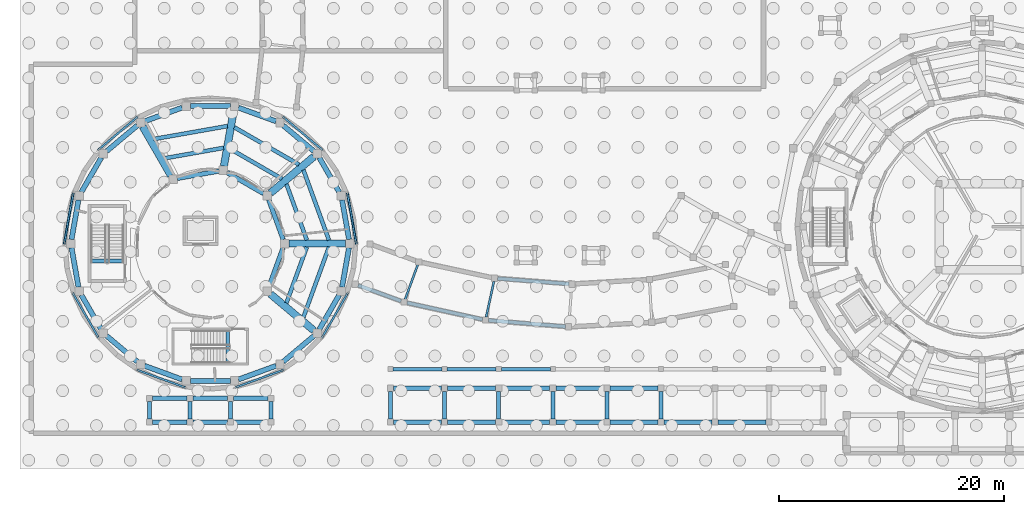
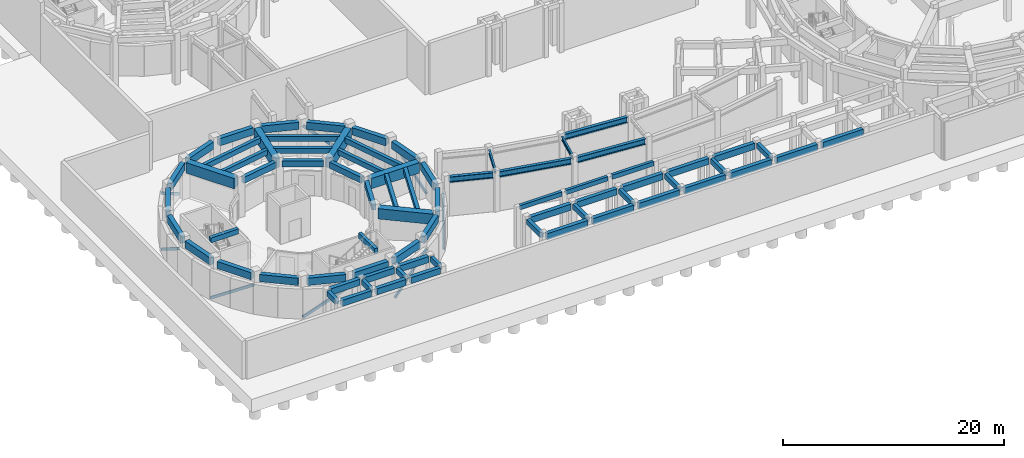
# One storey, part 14 of 57: 74 beams, 8 members.
"""IFC4 building model written with IfcOpenShell, lengths in metres."""

from ifc_helpers import new_model, si_unit, direction, frame, origin, origin_2d, place, context, subcontext, project, spatial, rectangle, i_section, extrude, material, material_profile, profile_set, type_object, element, save


model = new_model("IFC4")

# Units and contexts
model_context = context("Model", 3, precision=1e-05, world=origin(), true_north=direction((0.0, 1.0)))
body_context = subcontext(model_context, "Body", "Model", "MODEL_VIEW")
ifc_project = project(units=[si_unit("LENGTHUNIT", "METRE"), si_unit("AREAUNIT", "SQUARE_METRE"), si_unit("VOLUMEUNIT", "CUBIC_METRE"), si_unit("PLANEANGLEUNIT", "RADIAN"), si_unit("MASSUNIT", "GRAM", prefix="KILO")], contexts=[model_context])

# Site, building, storey
site_placement = place(None, origin())
site = spatial("IfcSite", under=ifc_project, at=site_placement, CompositionType="ELEMENT")
building_placement = place(site_placement, origin())
building = spatial("IfcBuilding", under=site, at=building_placement, Name="Aldenvaro Health Centre", CompositionType="ELEMENT")
storey_placement = place(building_placement, frame((0.0, 0.0, -4.550048828125)))
storey = spatial("IfcBuildingStorey", under=building, at=storey_placement, Name="B1", CompositionType="ELEMENT", Elevation=-4.550048828125)

# Beams
ifc_material_1 = material(Name="Concrete f'c 40 MPa", Category="concrete")
ifc_material_profile_1 = material_profile(ifc_material_1, rectangle(XDim=0.300048828125, YDim=0.47998046875, at=origin_2d()), Name="RC 300x480", Category="concrete")
ifc_profile_set_1 = profile_set([ifc_material_profile_1], Name="Concrete f'c 40 MPa")
beam_type_1 = type_object("IfcBeamType", Name="BM-RC-480", PredefinedType="LINTEL", material=ifc_profile_set_1)
beam_1_placement = place(storey_placement, frame((34.72509765625, 7.35009765625, 4.31005859375), z_axis=(1.0, 0.0, 0.0), x_axis=(0.0, 1.0, 0.0)))
element("IfcBeam", 1, at=beam_1_placement, inside=storey, type_object=beam_type_1, Name="Courtyard Screen W Grade Beam 1", PredefinedType="LINTEL", context=body_context, shape_type="SweptSolid", body=[
    extrude(rectangle(XDim=0.300048828125, YDim=0.47998046875, at=origin_2d()), origin(), (0.0, 0.0, 1.0), 4.349853515625),
])
for number, where, z_axis, x_axis, name in (
    (2, (39.52490234375, 7.35009765625, 4.31005859375), (1.0, 0.0, 0.0), (0.0, 1.0, 0.0), "Courtyard Screen W Grade Beam 2"),
    (3, (44.324951171875, 7.35009765625, 4.31005859375), (1.0, 0.0, 0.0), (0.0, 1.0, 0.0), "Courtyard Screen W Grade Beam 3"),
):
    element("IfcBeam", number, at=place(storey_placement, frame(where, z_axis=z_axis, x_axis=x_axis)), inside=storey, type_object=beam_type_1, Name=name, PredefinedType="LINTEL", context=body_context, shape_type="SweptSolid", body=[
        extrude(rectangle(XDim=0.300048828125, YDim=0.47998046875, at=origin_2d()), origin(), (0.0, 0.0, 1.0), 4.35009765625),
    ])
ifc_material_profile_2 = material_profile(ifc_material_1, rectangle(XDim=0.35009765625, YDim=0.56005859375, at=origin_2d()), Name="RC 350x560", Category="concrete")
ifc_profile_set_2 = profile_set([ifc_material_profile_2], Name="Concrete f'c 40 MPa")
beam_type_2 = type_object("IfcBeamType", Name="BM-RC-560", PredefinedType="JOIST", material=ifc_profile_set_2)
beam_2_placement = place(storey_placement, frame((27.070068359375, 18.804931640625, 3.838134765625), z_axis=(-0.342106317212, 0.939661251581, 0.0), x_axis=(-0.939661251581, -0.342106317212, 0.0)))
element("IfcBeam", 4, at=beam_2_placement, inside=storey, type_object=beam_type_2, Name="D5 B1 secondary joist 01.1", PredefinedType="JOIST", context=body_context, shape_type="SweptSolid", body=[
    extrude(rectangle(XDim=0.35009765625, YDim=0.56005859375, at=origin_2d()), origin(), (0.0, 0.0, 1.0), 5.2880859375),
])
beam_3_placement = place(storey_placement, frame((29.034912109375, 18.804931640625, 3.838134765625), z_axis=(-0.341905602394, 0.93973430237, 0.0), x_axis=(-0.93973430237, -0.341905602394, 0.0)))
element("IfcBeam", 5, at=beam_3_placement, inside=storey, type_object=beam_type_2, Name="D5 B1 secondary joist 01.2", PredefinedType="JOIST", context=body_context, shape_type="SweptSolid", body=[
    extrude(rectangle(XDim=0.35009765625, YDim=0.56005859375, at=origin_2d()), origin(), (0.0, 0.0, 1.0), 6.6328125),
])
beam_4_placement = place(storey_placement, frame((24.868896484375, 24.241943359375, 3.838134765625), z_axis=(-0.865955708429, 0.500120696472, 0.0), x_axis=(-0.500120696472, -0.865955708429, 0.0)))
element("IfcBeam", 6, at=beam_4_placement, inside=storey, type_object=beam_type_2, Name="D5 B1 secondary joist 02.1", PredefinedType="JOIST", context=body_context, shape_type="SweptSolid", body=[
    extrude(rectangle(XDim=0.35009765625, YDim=0.56005859375, at=origin_2d()), origin(), (0.0, 0.0, 1.0), 5.288818359375),
])
beam_5_placement = place(storey_placement, frame((26.3740234375, 25.506103515625, 3.838134765625), z_axis=(-0.866055640636, 0.49994762458, 0.0), x_axis=(-0.49994762458, -0.866055640636, 0.0)))
element("IfcBeam", 7, at=beam_5_placement, inside=storey, type_object=beam_type_2, Name="D5 B1 secondary joist 02.2", PredefinedType="JOIST", context=body_context, shape_type="SweptSolid", body=[
    extrude(rectangle(XDim=0.35009765625, YDim=0.56005859375, at=origin_2d()), origin(), (0.0, 0.0, 1.0), 6.632568359375),
])
beam_6_placement = place(storey_placement, frame((19.68701171875, 26.992919921875, 3.838134765625), z_axis=(-0.984781699439, -0.173795870062, 0.0), x_axis=(0.173795870062, -0.984781699439, 0.0)))
element("IfcBeam", 8, at=beam_6_placement, inside=storey, type_object=beam_type_2, Name="D5 B1 secondary joist 03.1", PredefinedType="JOIST", context=body_context, shape_type="SweptSolid", body=[
    extrude(rectangle(XDim=0.35009765625, YDim=0.56005859375, at=origin_2d()), origin(), (0.0, 0.0, 1.0), 5.28759765625),
])
beam_7_placement = place(storey_placement, frame((20.029052734375, 28.927978515625, 3.838134765625), z_axis=(-0.984799118, -0.173697142136, 0.0), x_axis=(0.173697142136, -0.984799118, 0.0)))
element("IfcBeam", 9, at=beam_7_placement, inside=storey, type_object=beam_type_2, Name="D5 B1 secondary joist 03.2", PredefinedType="JOIST", context=body_context, shape_type="SweptSolid", body=[
    extrude(rectangle(XDim=0.35009765625, YDim=0.56005859375, at=origin_2d()), origin(), (0.0, 0.0, 1.0), 6.6328125),
])
beam_8_placement = place(storey_placement, frame((25.260986328125, 13.22607421875, 3.838134765625), z_axis=(0.342106317212, 0.939661251581, 0.0), x_axis=(-0.939661251581, 0.342106317212, 0.0)))
element("IfcBeam", 10, at=beam_8_placement, inside=storey, type_object=beam_type_2, Name="D5 B1 secondary joist 05.1", PredefinedType="JOIST", context=body_context, shape_type="SweptSolid", body=[
    extrude(rectangle(XDim=0.35009765625, YDim=0.56005859375, at=origin_2d()), origin(), (0.0, 0.0, 1.0), 5.2880859375),
])
beam_9_placement = place(storey_placement, frame((26.76708984375, 11.9619140625, 3.838134765625), z_axis=(0.341905602394, 0.93973430237, 0.0), x_axis=(-0.93973430237, 0.341905602394, 0.0)))
element("IfcBeam", 11, at=beam_9_placement, inside=storey, type_object=beam_type_2, Name="D5 B1 secondary joist 05.2", PredefinedType="JOIST", context=body_context, shape_type="SweptSolid", body=[
    extrude(rectangle(XDim=0.35009765625, YDim=0.56005859375, at=origin_2d()), origin(), (0.0, 0.0, 1.0), 6.6328125),
])
for number, where, z_axis, x_axis, name in (
    (12, (34.5, 2.925048828125, 4.010009765625), (0.0, 1.0, 0.0), (-1.0, 0.0, 0.0), "South Stoa W Transverse Beam B1-1"),
    (13, (39.300048828125, 2.925048828125, 4.010009765625), (0.0, 1.0, 0.0), (-1.0, 0.0, 0.0), "South Stoa W Transverse Beam B1-2"),
    (14, (44.10009765625, 2.925048828125, 4.010009765625), (0.0, 1.0, 0.0), (-1.0, 0.0, 0.0), "South Stoa W Transverse Beam B1-3"),
    (15, (48.89990234375, 2.925048828125, 4.010009765625), (0.0, 1.0, 0.0), (-1.0, 0.0, 0.0), "South Stoa W Transverse Beam B1-4"),
    (16, (53.699951171875, 2.925048828125, 4.010009765625), (0.0, 1.0, 0.0), (-1.0, 0.0, 0.0), "South Stoa W Transverse Beam B1-5"),
    (17, (58.5, 2.925048828125, 4.010009765625), (0.0, 1.0, 0.0), (-1.0, 0.0, 0.0), "South Stoa W Transverse Beam B1-6"),
):
    element("IfcBeam", number, at=place(storey_placement, frame(where, z_axis=z_axis, x_axis=x_axis)), inside=storey, type_object=beam_type_2, Name=name, PredefinedType="JOIST", context=body_context, shape_type="SweptSolid", body=[
        extrude(rectangle(XDim=0.35009765625, YDim=0.56005859375, at=origin_2d()), origin(), (0.0, 0.0, 1.0), 2.449951171875),
    ])
for number, where, z_axis, x_axis, name in (
    (18, (13.10009765625, 2.925048828125, 4.130126953125), (0.0, 1.0, 0.0), (-1.0, 0.0, 0.0), "Pavilion Portico W5 Grade Tie 1"),
    (19, (16.699951171875, 2.925048828125, 4.130126953125), (0.0, 1.0, 0.0), (-1.0, 0.0, 0.0), "Pavilion Portico W5 Grade Tie 2"),
    (20, (20.300048828125, 2.925048828125, 4.130126953125), (0.0, 1.0, 0.0), (-1.0, 0.0, 0.0), "Pavilion Portico W5 Grade Tie 3"),
    (21, (23.89990234375, 2.925048828125, 4.130126953125), (0.0, 1.0, 0.0), (-1.0, 0.0, 0.0), "Pavilion Portico W5 Grade Tie 4"),
):
    element("IfcBeam", number, at=place(storey_placement, frame(where, z_axis=z_axis, x_axis=x_axis)), inside=storey, type_object=beam_type_2, Name=name, PredefinedType="JOIST", context=body_context, shape_type="SweptSolid", body=[
        extrude(rectangle(XDim=0.35009765625, YDim=0.56005859375, at=origin_2d()), origin(), (0.0, 0.0, 1.0), 1.550048828125),
    ])
for number, where, z_axis, x_axis, name in (
    (22, (10.800048828125, 16.949951171875, 4.27001953125), (-1.0, 0.0, 0.0), (0.0, -1.0, 0.0), "ST-09 L00 stair landing trimmer beam"),
    (23, (20.050048828125, 10.800048828125, 4.27001953125), (0.0, -1.0, 0.0), (1.0, 0.0, 0.0), "ST-10 L00 stair landing trimmer beam"),
):
    element("IfcBeam", number, at=place(storey_placement, frame(where, z_axis=z_axis, x_axis=x_axis)), inside=storey, type_object=beam_type_2, Name=name, PredefinedType="JOIST", context=body_context, shape_type="SweptSolid", body=[
        extrude(rectangle(XDim=0.35009765625, YDim=0.56005859375, at=origin_2d()), origin(), (0.0, 0.0, 1.0), 2.900146484375),
    ])
ifc_material_profile_3 = material_profile(ifc_material_1, rectangle(XDim=0.39990234375, YDim=0.679931640625, at=origin_2d()), Name="RC 400x680", Category="concrete")
ifc_profile_set_3 = profile_set([ifc_material_profile_3], Name="Concrete f'c 40 MPa")
beam_type_3 = type_object("IfcBeamType", Name="BM-RC-680", PredefinedType="BEAM", material=ifc_profile_set_3)
beam_10_placement = place(storey_placement, frame((24.971923828125, 18.85205078125, 3.778076171875), z_axis=(-0.342060645112, 0.939677878353, 0.0), x_axis=(-0.939677878353, -0.342060645112, 0.0)))
element("IfcBeam", 24, at=beam_10_placement, inside=storey, type_object=beam_type_3, Name="D5 B1 inner ring beam 01", PredefinedType="BEAM", context=body_context, shape_type="SweptSolid", body=[
    extrude(rectangle(XDim=0.39990234375, YDim=0.679931640625, at=origin_2d()), origin(), (0.0, 0.0, 1.0), 3.764892578125),
])
beam_11_placement = place(storey_placement, frame((23.23095703125, 22.929931640625, 3.778076171875), z_axis=(-0.866035461704, 0.499982578767, 0.0), x_axis=(-0.499982578767, -0.866035461704, 0.0)))
element("IfcBeam", 25, at=beam_11_placement, inside=storey, type_object=beam_type_3, Name="D5 B1 inner ring beam 02", PredefinedType="BEAM", context=body_context, shape_type="SweptSolid", body=[
    extrude(rectangle(XDim=0.39990234375, YDim=0.679931640625, at=origin_2d()), origin(), (0.0, 0.0, 1.0), 3.764404296875),
])
beam_12_placement = place(storey_placement, frame((19.277099609375, 24.93505859375, 3.778076171875), z_axis=(-0.984797263642, -0.17370765534, 0.0), x_axis=(0.17370765534, -0.984797263642, 0.0)))
element("IfcBeam", 26, at=beam_12_placement, inside=storey, type_object=beam_type_3, Name="D5 B1 inner ring beam 03", PredefinedType="BEAM", context=body_context, shape_type="SweptSolid", body=[
    extrude(rectangle(XDim=0.39990234375, YDim=0.679931640625, at=origin_2d()), origin(), (0.0, 0.0, 1.0), 3.76513671875),
])
beam_13_placement = place(storey_placement, frame((23.68408203125, 14.610107421875, 3.778076171875), z_axis=(0.342060645112, 0.939677878353, 0.0), x_axis=(-0.939677878353, 0.342060645112, 0.0)))
element("IfcBeam", 27, at=beam_13_placement, inside=storey, type_object=beam_type_3, Name="D5 B1 inner ring beam 05", PredefinedType="BEAM", context=body_context, shape_type="SweptSolid", body=[
    extrude(rectangle(XDim=0.39990234375, YDim=0.679931640625, at=origin_2d()), origin(), (0.0, 0.0, 1.0), 3.764892578125),
])
for number, where, z_axis, x_axis, name in (
    (28, (34.77490234375, 2.64990234375, 3.949951171875), (1.0, 0.0, 0.0), (0.0, 1.0, 0.0), "South Stoa W Classical Architrave B1-1.1"),
    (29, (34.77490234375, 5.64990234375, 3.949951171875), (1.0, 0.0, 0.0), (0.0, 1.0, 0.0), "South Stoa W Classical Architrave B1-1.2"),
    (30, (39.574951171875, 2.64990234375, 3.949951171875), (1.0, 0.0, 0.0), (0.0, 1.0, 0.0), "South Stoa W Classical Architrave B1-2.1"),
    (31, (39.574951171875, 5.64990234375, 3.949951171875), (1.0, 0.0, 0.0), (0.0, 1.0, 0.0), "South Stoa W Classical Architrave B1-2.2"),
    (32, (44.375, 2.64990234375, 3.949951171875), (1.0, 0.0, 0.0), (0.0, 1.0, 0.0), "South Stoa W Classical Architrave B1-3.1"),
    (33, (44.375, 5.64990234375, 3.949951171875), (1.0, 0.0, 0.0), (0.0, 1.0, 0.0), "South Stoa W Classical Architrave B1-3.2"),
    (34, (49.175048828125, 2.64990234375, 3.949951171875), (1.0, 0.0, 0.0), (0.0, 1.0, 0.0), "South Stoa W Classical Architrave B1-4.1"),
    (35, (49.175048828125, 5.64990234375, 3.949951171875), (1.0, 0.0, 0.0), (0.0, 1.0, 0.0), "South Stoa W Classical Architrave B1-4.2"),
    (36, (53.97509765625, 2.64990234375, 3.949951171875), (1.0, 0.0, 0.0), (0.0, 1.0, 0.0), "South Stoa W Classical Architrave B1-5.1"),
    (37, (53.97509765625, 5.64990234375, 3.949951171875), (1.0, 0.0, 0.0), (0.0, 1.0, 0.0), "South Stoa W Classical Architrave B1-5.2"),
    (38, (58.77490234375, 2.64990234375, 3.949951171875), (1.0, 0.0, 0.0), (0.0, 1.0, 0.0), "South Stoa W Classical Architrave B1-6.1"),
    (39, (63.574951171875, 2.64990234375, 3.949951171875), (1.0, 0.0, 0.0), (0.0, 1.0, 0.0), "South Stoa W Classical Architrave B1-7.1"),
):
    element("IfcBeam", number, at=place(storey_placement, frame(where, z_axis=z_axis, x_axis=x_axis)), inside=storey, type_object=beam_type_3, Name=name, PredefinedType="BEAM", context=body_context, shape_type="SweptSolid", body=[
        extrude(rectangle(XDim=0.39990234375, YDim=0.679931640625, at=origin_2d()), origin(), (0.0, 0.0, 1.0), 4.25),
    ])
for number, where, z_axis, x_axis, name in (
    (40, (13.375, 2.64990234375, 4.090087890625), (1.0, 0.0, 0.0), (0.0, 1.0, 0.0), "Pavilion Portico W5 Grade Beam 1.1"),
    (41, (13.375, 4.75, 4.090087890625), (1.0, 0.0, 0.0), (0.0, 1.0, 0.0), "Pavilion Portico W5 Grade Beam 1.2"),
):
    element("IfcBeam", number, at=place(storey_placement, frame(where, z_axis=z_axis, x_axis=x_axis)), inside=storey, type_object=beam_type_3, Name=name, PredefinedType="BEAM", context=body_context, shape_type="SweptSolid", body=[
        extrude(rectangle(XDim=0.39990234375, YDim=0.679931640625, at=origin_2d()), origin(), (0.0, 0.0, 1.0), 3.050048828125),
    ])
for number, where, z_axis, x_axis, name in (
    (42, (16.97509765625, 2.64990234375, 4.090087890625), (1.0, 0.0, 0.0), (0.0, 1.0, 0.0), "Pavilion Portico W5 Grade Beam 2.1"),
    (43, (16.97509765625, 4.75, 4.090087890625), (1.0, 0.0, 0.0), (0.0, 1.0, 0.0), "Pavilion Portico W5 Grade Beam 2.2"),
):
    element("IfcBeam", number, at=place(storey_placement, frame(where, z_axis=z_axis, x_axis=x_axis)), inside=storey, type_object=beam_type_3, Name=name, PredefinedType="BEAM", context=body_context, shape_type="SweptSolid", body=[
        extrude(rectangle(XDim=0.39990234375, YDim=0.679931640625, at=origin_2d()), origin(), (0.0, 0.0, 1.0), 3.0498046875),
    ])
for number, where, z_axis, x_axis, name in (
    (44, (20.574951171875, 2.64990234375, 4.090087890625), (1.0, 0.0, 0.0), (0.0, 1.0, 0.0), "Pavilion Portico W5 Grade Beam 3.1"),
    (45, (20.574951171875, 4.75, 4.090087890625), (1.0, 0.0, 0.0), (0.0, 1.0, 0.0), "Pavilion Portico W5 Grade Beam 3.2"),
):
    element("IfcBeam", number, at=place(storey_placement, frame(where, z_axis=z_axis, x_axis=x_axis)), inside=storey, type_object=beam_type_3, Name=name, PredefinedType="BEAM", context=body_context, shape_type="SweptSolid", body=[
        extrude(rectangle(XDim=0.39990234375, YDim=0.679931640625, at=origin_2d()), origin(), (0.0, 0.0, 1.0), 3.050048828125),
    ])
ifc_material_profile_4 = material_profile(ifc_material_1, rectangle(XDim=0.449951171875, YDim=0.800048828125, at=origin_2d()), Name="RC 450x800", Category="concrete")
ifc_profile_set_4 = profile_set([ifc_material_profile_4], Name="Concrete f'c 40 MPa")
beam_type_4 = type_object("IfcBeamType", Name="BM-RC-800I", PredefinedType="SPANDREL", material=ifc_profile_set_4)
beam_14_placement = place(storey_placement, frame((30.81494140625, 18.868896484375, 3.718017578125), z_axis=(-0.173781410795, 0.984784251124, 0.0), x_axis=(-0.984784251124, -0.173781410795, 0.0)))
element("IfcBeam", 46, at=beam_14_placement, inside=storey, type_object=beam_type_4, Name="D5 B1 perimeter spandrel 01", PredefinedType="SPANDREL", context=body_context, shape_type="SweptSolid", body=[
    extrude(rectangle(XDim=0.449951171875, YDim=0.800048828125, at=origin_2d()), origin(), (0.0, 0.0, 1.0), 3.550048828125),
])
for number, where, z_axis, x_axis, name in (
    (47, (29.946044921875, 23.05908203125, 3.718017578125), (-0.500081641589, 0.86597826286, 0.0), (-0.86597826286, -0.500081641589, 0.0), "D5 B1 perimeter spandrel 02"),
    (48, (27.697021484375, 26.698974609375, 3.718017578125), (-0.766227589177, 0.642569281544, 0.0), (-0.642569281544, -0.766227589177, 0.0), "D5 B1 perimeter spandrel 03"),
):
    element("IfcBeam", number, at=place(storey_placement, frame(where, z_axis=z_axis, x_axis=x_axis)), inside=storey, type_object=beam_type_4, Name=name, PredefinedType="SPANDREL", context=body_context, shape_type="SweptSolid", body=[
        extrude(rectangle(XDim=0.449951171875, YDim=0.800048828125, at=origin_2d()), origin(), (0.0, 0.0, 1.0), 3.5498046875),
    ])
beam_15_placement = place(storey_placement, frame((24.337890625, 29.34912109375, 3.718017578125), z_axis=(-0.939632695963, 0.342184740567, 0.0), x_axis=(-0.342184740567, -0.939632695963, 0.0)))
element("IfcBeam", 49, at=beam_15_placement, inside=storey, type_object=beam_type_4, Name="D5 B1 perimeter spandrel 04", PredefinedType="SPANDREL", context=body_context, shape_type="SweptSolid", body=[
    extrude(rectangle(XDim=0.449951171875, YDim=0.800048828125, at=origin_2d()), origin(), (0.0, 0.0, 1.0), 3.55029296875),
])
beam_16_placement = place(storey_placement, frame((20.27490234375, 30.69189453125, 3.718017578125), z_axis=(-1.0, 0.0, 0.0), x_axis=(0.0, -1.0, 0.0)))
element("IfcBeam", 50, at=beam_16_placement, inside=storey, type_object=beam_type_4, Name="D5 B1 perimeter spandrel 05", PredefinedType="SPANDREL", context=body_context, shape_type="SweptSolid", body=[
    extrude(rectangle(XDim=0.449951171875, YDim=0.800048828125, at=origin_2d()), origin(), (0.0, 0.0, 1.0), 3.5498046875),
])
beam_17_placement = place(storey_placement, frame((15.998046875, 30.56396484375, 3.718017578125), z_axis=(-0.939632695963, -0.342184740567, 0.0), x_axis=(0.342184740567, -0.939632695963, 0.0)))
element("IfcBeam", 51, at=beam_17_placement, inside=storey, type_object=beam_type_4, Name="D5 B1 perimeter spandrel 06", PredefinedType="SPANDREL", context=body_context, shape_type="SweptSolid", body=[
    extrude(rectangle(XDim=0.449951171875, YDim=0.800048828125, at=origin_2d()), origin(), (0.0, 0.0, 1.0), 3.55029296875),
])
for number, where, z_axis, x_axis, name in (
    (52, (12.02294921875, 28.97998046875, 3.718017578125), (-0.766227589177, -0.642569281544, 0.0), (0.642569281544, -0.766227589177, 0.0), "D5 B1 perimeter spandrel 07"),
    (53, (8.8291015625, 26.133056640625, 3.718017578125), (-0.500081641589, -0.86597826286, 0.0), (0.86597826286, -0.500081641589, 0.0), "D5 B1 perimeter spandrel 08"),
):
    element("IfcBeam", number, at=place(storey_placement, frame(where, z_axis=z_axis, x_axis=x_axis)), inside=storey, type_object=beam_type_4, Name=name, PredefinedType="SPANDREL", context=body_context, shape_type="SweptSolid", body=[
        extrude(rectangle(XDim=0.449951171875, YDim=0.800048828125, at=origin_2d()), origin(), (0.0, 0.0, 1.0), 3.5498046875),
    ])
for number, where, z_axis, x_axis, name in (
    (54, (6.802001953125, 22.364990234375, 3.718017578125), (-0.173781410795, -0.984784251124, 0.0), (0.984784251124, -0.173781410795, 0.0), "D5 B1 perimeter spandrel 09"),
    (55, (6.18505859375, 18.131103515625, 3.718017578125), (0.173781410795, -0.984784251124, 0.0), (0.984784251124, 0.173781410795, 0.0), "D5 B1 perimeter spandrel 10"),
):
    element("IfcBeam", number, at=place(storey_placement, frame(where, z_axis=z_axis, x_axis=x_axis)), inside=storey, type_object=beam_type_4, Name=name, PredefinedType="SPANDREL", context=body_context, shape_type="SweptSolid", body=[
        extrude(rectangle(XDim=0.449951171875, YDim=0.800048828125, at=origin_2d()), origin(), (0.0, 0.0, 1.0), 3.550048828125),
    ])
for number, where, z_axis, x_axis, name in (
    (56, (7.053955078125, 13.94091796875, 3.718017578125), (0.500081641589, -0.86597826286, 0.0), (0.86597826286, 0.500081641589, 0.0), "D5 B1 perimeter spandrel 11"),
    (57, (9.302978515625, 10.301025390625, 3.718017578125), (0.766227589177, -0.642569281544, 0.0), (0.642569281544, 0.766227589177, 0.0), "D5 B1 perimeter spandrel 12"),
):
    element("IfcBeam", number, at=place(storey_placement, frame(where, z_axis=z_axis, x_axis=x_axis)), inside=storey, type_object=beam_type_4, Name=name, PredefinedType="SPANDREL", context=body_context, shape_type="SweptSolid", body=[
        extrude(rectangle(XDim=0.449951171875, YDim=0.800048828125, at=origin_2d()), origin(), (0.0, 0.0, 1.0), 3.5498046875),
    ])
beam_18_placement = place(storey_placement, frame((12.662109375, 7.65087890625, 3.718017578125), z_axis=(0.939632695963, -0.342184740567, 0.0), x_axis=(0.342184740567, 0.939632695963, 0.0)))
element("IfcBeam", 58, at=beam_18_placement, inside=storey, type_object=beam_type_4, Name="D5 B1 perimeter spandrel 13", PredefinedType="SPANDREL", context=body_context, shape_type="SweptSolid", body=[
    extrude(rectangle(XDim=0.449951171875, YDim=0.800048828125, at=origin_2d()), origin(), (0.0, 0.0, 1.0), 3.55029296875),
])
beam_19_placement = place(storey_placement, frame((16.72509765625, 6.30810546875, 3.718017578125), z_axis=(1.0, 0.0, 0.0), x_axis=(0.0, 1.0, 0.0)))
element("IfcBeam", 59, at=beam_19_placement, inside=storey, type_object=beam_type_4, Name="D5 B1 perimeter spandrel 14", PredefinedType="SPANDREL", context=body_context, shape_type="SweptSolid", body=[
    extrude(rectangle(XDim=0.449951171875, YDim=0.800048828125, at=origin_2d()), origin(), (0.0, 0.0, 1.0), 3.5498046875),
])
beam_20_placement = place(storey_placement, frame((21.001953125, 6.43603515625, 3.718017578125), z_axis=(0.939632695963, 0.342184740567, 0.0), x_axis=(-0.342184740567, 0.939632695963, 0.0)))
element("IfcBeam", 60, at=beam_20_placement, inside=storey, type_object=beam_type_4, Name="D5 B1 perimeter spandrel 15", PredefinedType="SPANDREL", context=body_context, shape_type="SweptSolid", body=[
    extrude(rectangle(XDim=0.449951171875, YDim=0.800048828125, at=origin_2d()), origin(), (0.0, 0.0, 1.0), 3.55029296875),
])
for number, where, z_axis, x_axis, name in (
    (61, (24.97705078125, 8.02001953125, 3.718017578125), (0.766227589177, 0.642569281544, 0.0), (-0.642569281544, 0.766227589177, 0.0), "D5 B1 perimeter spandrel 16"),
    (62, (28.1708984375, 10.866943359375, 3.718017578125), (0.500081641589, 0.86597826286, 0.0), (-0.86597826286, 0.500081641589, 0.0), "D5 B1 perimeter spandrel 17"),
):
    element("IfcBeam", number, at=place(storey_placement, frame(where, z_axis=z_axis, x_axis=x_axis)), inside=storey, type_object=beam_type_4, Name=name, PredefinedType="SPANDREL", context=body_context, shape_type="SweptSolid", body=[
        extrude(rectangle(XDim=0.449951171875, YDim=0.800048828125, at=origin_2d()), origin(), (0.0, 0.0, 1.0), 3.5498046875),
    ])
beam_21_placement = place(storey_placement, frame((30.197998046875, 14.635009765625, 3.718017578125), z_axis=(0.173781410795, 0.984784251124, 0.0), x_axis=(-0.984784251124, 0.173781410795, 0.0)))
element("IfcBeam", 63, at=beam_21_placement, inside=storey, type_object=beam_type_4, Name="D5 B1 perimeter spandrel 18", PredefinedType="SPANDREL", context=body_context, shape_type="SweptSolid", body=[
    extrude(rectangle(XDim=0.449951171875, YDim=0.800048828125, at=origin_2d()), origin(), (0.0, 0.0, 1.0), 3.550048828125),
])
ifc_material_profile_5 = material_profile(ifc_material_1, rectangle(XDim=0.64990234375, YDim=1.14990234375, at=origin_2d()), Name="RC 650x1150", Category="concrete")
ifc_profile_set_5 = profile_set([ifc_material_profile_5], Name="Concrete f'c 40 MPa")
beam_type_5 = type_object("IfcBeamType", Name="BM-RC-TG1150", PredefinedType="BEAM", material=ifc_profile_set_5)
beam_22_placement = place(storey_placement, frame((25.47509765625, 18.5, 3.54296875), z_axis=(1.0, 0.0, 0.0), x_axis=(0.0, 1.0, 0.0)))
element("IfcBeam", 64, at=beam_22_placement, inside=storey, type_object=beam_type_5, Name="D5 B1 radial beam 01", PredefinedType="BEAM", context=body_context, shape_type="SweptSolid", body=[
    extrude(rectangle(XDim=0.64990234375, YDim=1.14990234375, at=origin_2d()), origin(), (0.0, 0.0, 1.0), 5.02978515625),
])
beam_23_placement = place(storey_placement, frame((23.843017578125, 22.98291015625, 3.54296875), z_axis=(0.766021188377, 0.642815322591, 0.0), x_axis=(-0.642815322591, 0.766021188377, 0.0)))
element("IfcBeam", 65, at=beam_23_placement, inside=storey, type_object=beam_type_5, Name="D5 B1 radial beam 02", PredefinedType="BEAM", context=body_context, shape_type="SweptSolid", body=[
    extrude(rectangle(XDim=0.64990234375, YDim=1.14990234375, at=origin_2d()), origin(), (0.0, 0.0, 1.0), 5.03125),
])
beam_24_placement = place(storey_placement, frame((19.7109375, 25.368896484375, 3.54296875), z_axis=(0.173741036967, 0.984791374898, 0.0), x_axis=(-0.984791374898, 0.173741036967, 0.0)))
element("IfcBeam", 66, at=beam_24_placement, inside=storey, type_object=beam_type_5, Name="D5 B1 radial beam 03", PredefinedType="BEAM", context=body_context, shape_type="SweptSolid", body=[
    extrude(rectangle(XDim=0.64990234375, YDim=1.14990234375, at=origin_2d()), origin(), (0.0, 0.0, 1.0), 5.030517578125),
])
beam_25_placement = place(storey_placement, frame((15.011962890625, 24.541015625, 3.54296875), z_axis=(-0.499935397053, 0.8660626991, 0.0), x_axis=(-0.8660626991, -0.499935397053, 0.0)))
element("IfcBeam", 67, at=beam_25_placement, inside=storey, type_object=beam_type_5, Name="D5 B1 radial beam 04", PredefinedType="BEAM", context=body_context, shape_type="SweptSolid", body=[
    extrude(rectangle(XDim=0.64990234375, YDim=1.14990234375, at=origin_2d()), origin(), (0.0, 0.0, 1.0), 5.028564453125),
])
beam_26_placement = place(storey_placement, frame((23.843017578125, 14.01708984375, 3.54296875), z_axis=(0.766021188377, -0.642815322591, 0.0), x_axis=(0.642815322591, 0.766021188377, 0.0)))
element("IfcBeam", 68, at=beam_26_placement, inside=storey, type_object=beam_type_5, Name="D5 B1 radial beam 05", PredefinedType="BEAM", context=body_context, shape_type="SweptSolid", body=[
    extrude(rectangle(XDim=0.64990234375, YDim=1.14990234375, at=origin_2d()), origin(), (0.0, 0.0, 1.0), 5.03125),
])
ifc_material_2 = material(Name="Steel ASTM A992 Grade 50", Category="steel")
ifc_material_profile_6 = material_profile(ifc_material_2, i_section(OverallWidth=0.180908203125, OverallDepth=0.4169921875, WebThickness=0.010986328125, FlangeThickness=0.018310546875, at=origin_2d()), Name="W16X57", Category="steel")
ifc_profile_set_6 = profile_set([ifc_material_profile_6], Name="Steel ASTM A992 Grade 50")
beam_type_6 = type_object("IfcBeamType", Name="BM-ST-W16", PredefinedType="JOIST", material=ifc_profile_set_6)
beam_27_placement = place(storey_placement, frame((36.910888671875, 16.611083984375, 4.0810546875), z_axis=(-0.343413451821, -0.939184327546, 0.0), x_axis=(0.939184327546, -0.343413451821, 0.0)))
element("IfcBeam", 69, at=beam_27_placement, inside=storey, type_object=beam_type_6, Name="South West Curved Peristyle Walkway Arc 1 B1 cross beam 2", PredefinedType="JOIST", context=body_context, shape_type="SweptSolid", body=[
    extrude(i_section(OverallWidth=0.180908203125, OverallDepth=0.4169921875, WebThickness=0.010986328125, FlangeThickness=0.018310546875, at=origin_2d()), origin(), (0.0, 0.0, 1.0), 3.24951171875),
])
beam_28_placement = place(storey_placement, frame((43.677001953125, 15.14990234375, 4.0810546875), z_axis=(-0.21299749832, -0.977052744589, 0.0), x_axis=(0.977052744589, -0.21299749832, 0.0)))
element("IfcBeam", 70, at=beam_28_placement, inside=storey, type_object=beam_type_6, Name="South West Curved Peristyle Walkway Arc 2 B1 cross beam 2", PredefinedType="JOIST", context=body_context, shape_type="SweptSolid", body=[
    extrude(i_section(OverallWidth=0.180908203125, OverallDepth=0.4169921875, WebThickness=0.010986328125, FlangeThickness=0.018310546875, at=origin_2d()), origin(), (0.0, 0.0, 1.0), 3.248291015625),
])
ifc_material_profile_7 = material_profile(ifc_material_2, i_section(OverallWidth=0.326904296875, OverallDepth=0.6220703125, WebThickness=0.015380859375, FlangeThickness=0.0244140625, at=origin_2d()), Name="W24X131", Category="steel")
ifc_profile_set_7 = profile_set([ifc_material_profile_7], Name="Steel ASTM A992 Grade 50")
beam_type_7 = type_object("IfcBeamType", Name="BM-ST-W24", PredefinedType="BEAM", material=ifc_profile_set_7)
beam_29_placement = place(storey_placement, frame((31.616943359375, 14.794921875, 3.97900390625), z_axis=(0.939080861911, -0.343696282773, 0.0), x_axis=(0.343696282773, 0.939080861911, 0.0)))
element("IfcBeam", 71, at=beam_29_placement, inside=storey, type_object=beam_type_7, Name="South West Curved Peristyle Walkway Arc 1 B1 girder R-1", PredefinedType="BEAM", context=body_context, shape_type="SweptSolid", body=[
    extrude(i_section(OverallWidth=0.326904296875, OverallDepth=0.6220703125, WebThickness=0.015380859375, FlangeThickness=0.0244140625, at=origin_2d()), origin(), (0.0, 0.0, 1.0), 4.072998046875),
])
beam_30_placement = place(storey_placement, frame((35.968994140625, 13.241943359375, 3.97900390625), z_axis=(0.97650723002, -0.215484639172, 0.0), x_axis=(0.215484639172, 0.97650723002, 0.0)))
element("IfcBeam", 72, at=beam_30_placement, inside=storey, type_object=beam_type_7, Name="South West Curved Peristyle Walkway Arc 2 B1 girder R-1", PredefinedType="BEAM", context=body_context, shape_type="SweptSolid", body=[
    extrude(i_section(OverallWidth=0.326904296875, OverallDepth=0.6220703125, WebThickness=0.015380859375, FlangeThickness=0.0244140625, at=origin_2d()), origin(), (0.0, 0.0, 1.0), 6.848876953125),
])
beam_31_placement = place(storey_placement, frame((44.010009765625, 15.39794921875, 3.97900390625), z_axis=(0.997123914893, -0.075788510658, 0.0), x_axis=(0.075788510658, 0.997123914893, 0.0)))
element("IfcBeam", 73, at=beam_31_placement, inside=storey, type_object=beam_type_7, Name="South West Curved Peristyle Walkway Arc 3 B1 girder L-1", PredefinedType="BEAM", context=body_context, shape_type="SweptSolid", body=[
    extrude(i_section(OverallWidth=0.326904296875, OverallDepth=0.6220703125, WebThickness=0.015380859375, FlangeThickness=0.0244140625, at=origin_2d()), origin(), (0.0, 0.0, 1.0), 6.333251953125),
])
beam_32_placement = place(storey_placement, frame((43.199951171875, 11.68505859375, 3.97900390625), z_axis=(0.996724312957, -0.080874247822, 0.0), x_axis=(0.080874247822, 0.996724312957, 0.0)))
element("IfcBeam", 74, at=beam_32_placement, inside=storey, type_object=beam_type_7, Name="South West Curved Peristyle Walkway Arc 3 B1 girder R-1", PredefinedType="BEAM", context=body_context, shape_type="SweptSolid", body=[
    extrude(i_section(OverallWidth=0.326904296875, OverallDepth=0.6220703125, WebThickness=0.015380859375, FlangeThickness=0.0244140625, at=origin_2d()), origin(), (0.0, 0.0, 1.0), 6.849609375),
])

# Members
ifc_material_3 = material(Name="Glulam GL28h", Category="wood")
ifc_material_profile_8 = material_profile(ifc_material_3, rectangle(XDim=0.175048828125, YDim=0.26611328125, at=origin_2d()), Name="GL 175x266", Category="wood")
ifc_profile_set_8 = profile_set([ifc_material_profile_8], Name="Glulam GL28h")
member_type = type_object("IfcMemberType", Name="MEM-BR-266", PredefinedType="BRACE", material=ifc_profile_set_8)
for number, where, z_axis, x_axis, name in (
    (75, (31.45703125, 18.52001953125, 0.16015625), (-0.144400994251, 0.817348691588, 0.557753950428), (-0.984749933147, -0.173975771784, 0.0), "D5 B1 timber brace 1"),
    (76, (28.4130859375, 26.843994140625, 0.16015625), (-0.635922394921, 0.533402620254, 0.557749363374), (-0.642646460857, -0.766162858894, 0.0), "D5 B1 timber brace 3"),
    (77, (12.0048828125, 29.7109375, 0.16015625), (-0.635922394921, -0.533402620254, 0.557749363374), (0.642646460857, -0.766162858894, 0.0), "D5 B1 timber brace 7"),
    (78, (6.319091796875, 22.9130859375, 0.16015625), (-0.144400994251, -0.817348691588, 0.557753950428), (0.984749933147, -0.173975771784, 0.0), "D5 B1 timber brace 9"),
):
    element("IfcMember", number, at=place(storey_placement, frame(where, z_axis=z_axis, x_axis=x_axis)), inside=storey, type_object=member_type, Name=name, PredefinedType="BRACE", context=body_context, shape_type="SweptSolid", body=[
        extrude(rectangle(XDim=0.175048828125, YDim=0.26611328125, at=origin_2d()), origin(), (0.0, 0.0, 1.0), 5.374755859375),
    ])
member_1_placement = place(storey_placement, frame((6.33203125, 14.050048828125, 0.16015625), z_axis=(0.414882881897, -0.718891107049, 0.557734498228), x_axis=(0.86611360403, 0.499847201567, 0.0)))
element("IfcMember", 79, at=member_1_placement, inside=storey, type_object=member_type, Name="D5 B1 timber brace 11", PredefinedType="BRACE", context=body_context, shape_type="SweptSolid", body=[
    extrude(rectangle(XDim=0.175048828125, YDim=0.26611328125, at=origin_2d()), origin(), (0.0, 0.0, 1.0), 5.375),
])
for number, where, z_axis, x_axis, name in (
    (80, (12.0390625, 7.26904296875, 0.16015625), (0.779965005145, -0.283776434895, 0.557786272462), (0.341905653508, 0.939734283773, 0.0), "D5 B1 timber brace 13"),
    (81, (20.76904296875, 5.743896484375, 0.16015625), (0.779965005145, 0.283776434895, 0.557786272462), (-0.341905653508, 0.939734283773, 0.0), "D5 B1 timber brace 15"),
):
    element("IfcMember", number, at=place(storey_placement, frame(where, z_axis=z_axis, x_axis=x_axis)), inside=storey, type_object=member_type, Name=name, PredefinedType="BRACE", context=body_context, shape_type="SweptSolid", body=[
        extrude(rectangle(XDim=0.175048828125, YDim=0.26611328125, at=origin_2d()), origin(), (0.0, 0.0, 1.0), 5.37451171875),
    ])
member_2_placement = place(storey_placement, frame((28.43798828125, 10.18603515625, 0.16015625), z_axis=(0.414882881897, 0.718891107049, 0.557734498228), x_axis=(-0.86611360403, 0.499847201567, 0.0)))
element("IfcMember", 82, at=member_2_placement, inside=storey, type_object=member_type, Name="D5 B1 timber brace 17", PredefinedType="BRACE", context=body_context, shape_type="SweptSolid", body=[
    extrude(rectangle(XDim=0.175048828125, YDim=0.26611328125, at=origin_2d()), origin(), (0.0, 0.0, 1.0), 5.375),
])

save(model, "model.ifc")
